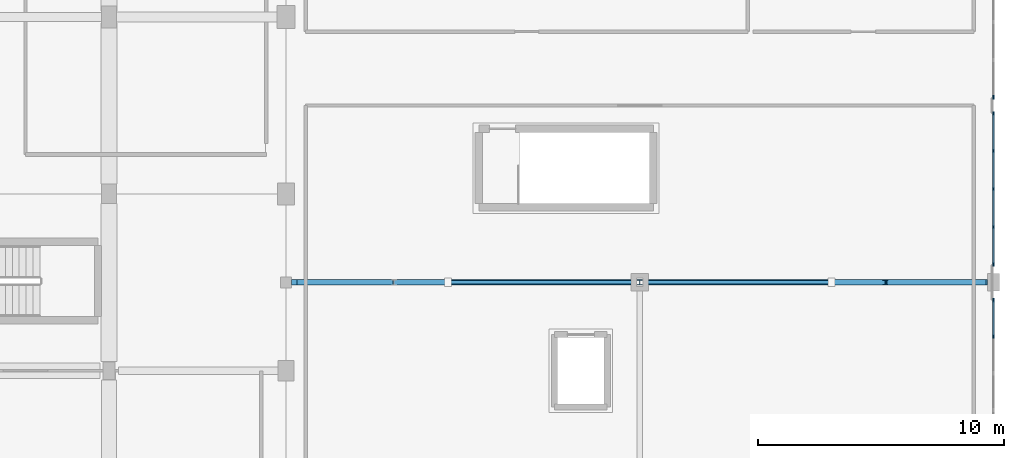
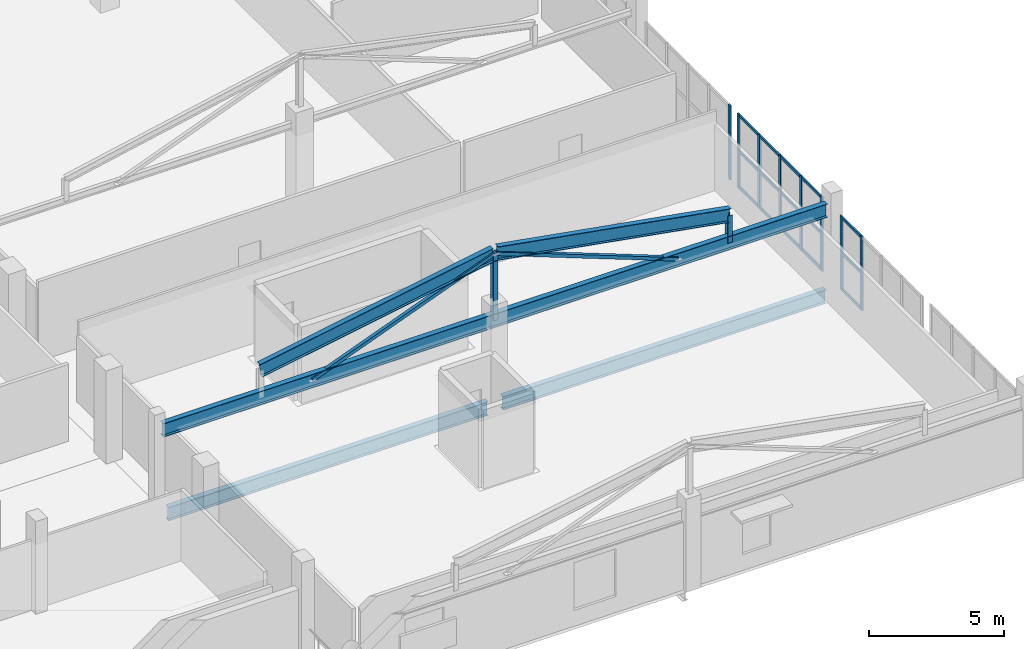
# One storey, part 34 of 92: 27 members, 5 beams, 3 elements without a shape of their own.
"""IFC4 building model written with IfcOpenShell, lengths in metres."""

from ifc_helpers import new_model, si_unit, direction, frame, origin, origin_2d, place, context, subcontext, project, spatial, rectangle, hollow_rectangle, i_section, extrude, material, material_profile, profile_set, type_object, element, aggregate, save


model = new_model("IFC4")

# Units and contexts
model_context = context("Model", 3, precision=1e-05, world=origin(), true_north=direction((0.0, 1.0)))
body_context = subcontext(model_context, "Body", "Model", "MODEL_VIEW")
ifc_project = project(units=[si_unit("LENGTHUNIT", "METRE"), si_unit("AREAUNIT", "SQUARE_METRE"), si_unit("VOLUMEUNIT", "CUBIC_METRE"), si_unit("PLANEANGLEUNIT", "RADIAN"), si_unit("MASSUNIT", "GRAM", prefix="KILO")], contexts=[model_context])

# Site, building, storey
site_placement = place(None, origin())
site = spatial("IfcSite", under=ifc_project, at=site_placement, CompositionType="ELEMENT")
building_placement = place(site_placement, origin())
building = spatial("IfcBuilding", under=site, at=building_placement, Name="Solanera Park Tramway Depot", CompositionType="ELEMENT")
storey_placement = place(building_placement, frame((0.0, 0.0, 4.800048828125)))
storey = spatial("IfcBuildingStorey", under=building, at=storey_placement, Name="L01", CompositionType="ELEMENT", Elevation=4.800048828125)

# Curtain wall, members
ifc_material_1 = material(Name="Bronze-anodised thermally broken aluminium curtain wall", Category="aluminium")
curtain_wall_type = type_object("IfcCurtainWallType", Name="Parkfront Loggia Curtain Wall", PredefinedType="NOTDEFINED", material=ifc_material_1)
curtain_wall_1_placement = place(storey_placement, origin())
curtain_wall_1 = element("IfcCurtainWall", 1, at=curtain_wall_1_placement, inside=storey, type_object=curtain_wall_type, Name="L01 Parkfront Loggia Curtain Wall #134", PredefinedType="NOTDEFINED")
ifc_material_2 = material(Name="Bronze-anodised structural aluminium 6063-T6", Category="aluminium")
ifc_material_profile_1 = material_profile(ifc_material_2, rectangle(XDim=0.06494140625, YDim=0.14990234375, at=origin_2d()), Name="Curtain Wall Mullion 65x150")
ifc_profile_set_1 = profile_set([ifc_material_profile_1], Name="Bronze-anodised structural aluminium 6063-T6")
member_type_1 = type_object("IfcMemberType", Name="Curtain Wall Mullion 65x150", PredefinedType="MULLION", material=ifc_profile_set_1)
member_1_placement = place(storey_placement, frame((216.0, 19.39990234375, 0.0), z_axis=(0.0, 0.0, 1.0), x_axis=(1.0, 0.0, 0.0)))
member_1 = element("IfcMember", 2, at=member_1_placement, type_object=member_type_1, Name="CW-L01-134 Mullion 4", PredefinedType="MULLION", context=body_context, shape_type="SweptSolid", body=[
    extrude(rectangle(XDim=0.06494140625, YDim=0.14990234375, at=origin_2d()), origin(), (0.0, 0.0, 1.0), 3.349853515625),
])
member_2_placement = place(storey_placement, frame((216.0, 20.867431640625, 0.0), z_axis=(0.0, 0.0, 1.0), x_axis=(1.0, 0.0, 0.0)))
member_2 = element("IfcMember", 3, at=member_2_placement, type_object=member_type_1, Name="CW-L01-134 Mullion 5", PredefinedType="MULLION", context=body_context, shape_type="SweptSolid", body=[
    extrude(rectangle(XDim=0.06494140625, YDim=0.14990234375, at=origin_2d()), origin(), (0.0, 0.0, 1.0), 3.349853515625),
])

curtain_wall_2_placement = place(storey_placement, origin())
curtain_wall_2 = element("IfcCurtainWall", 4, at=curtain_wall_2_placement, inside=storey, type_object=curtain_wall_type, Name="L01 Parkfront Loggia Curtain Wall #135", PredefinedType="NOTDEFINED")
member_3_placement = place(storey_placement, frame((216.0, 22.33251953125, 0.0), z_axis=(0.0, 0.0, 1.0), x_axis=(1.0, 0.0, 0.0)))
member_3 = element("IfcMember", 5, at=member_3_placement, type_object=member_type_1, Name="CW-L01-135 Mullion 1", PredefinedType="MULLION", context=body_context, shape_type="SweptSolid", body=[
    extrude(rectangle(XDim=0.06494140625, YDim=0.14990234375, at=origin_2d()), origin(), (0.0, 0.0, 1.0), 3.349853515625),
])
member_4_placement = place(storey_placement, frame((216.0, 23.85009765625, 0.0), z_axis=(0.0, 0.0, 1.0), x_axis=(1.0, 0.0, 0.0)))
member_4 = element("IfcMember", 6, at=member_4_placement, type_object=member_type_1, Name="CW-L01-135 Mullion 2", PredefinedType="MULLION", context=body_context, shape_type="SweptSolid", body=[
    extrude(rectangle(XDim=0.06494140625, YDim=0.14990234375, at=origin_2d()), origin(), (0.0, 0.0, 1.0), 3.349853515625),
])
member_5_placement = place(storey_placement, frame((216.0, 25.39990234375, 0.0), z_axis=(0.0, 0.0, 1.0), x_axis=(1.0, 0.0, 0.0)))
member_5 = element("IfcMember", 7, at=member_5_placement, type_object=member_type_1, Name="CW-L01-135 Mullion 3", PredefinedType="MULLION", context=body_context, shape_type="SweptSolid", body=[
    extrude(rectangle(XDim=0.06494140625, YDim=0.14990234375, at=origin_2d()), origin(), (0.0, 0.0, 1.0), 3.349853515625),
])
member_6_placement = place(storey_placement, frame((216.0, 26.949951171875, 0.0), z_axis=(0.0, 0.0, 1.0), x_axis=(1.0, 0.0, 0.0)))
member_6 = element("IfcMember", 8, at=member_6_placement, type_object=member_type_1, Name="CW-L01-135 Mullion 4", PredefinedType="MULLION", context=body_context, shape_type="SweptSolid", body=[
    extrude(rectangle(XDim=0.06494140625, YDim=0.14990234375, at=origin_2d()), origin(), (0.0, 0.0, 1.0), 3.349853515625),
])
member_7_placement = place(storey_placement, frame((216.0, 28.467529296875, 0.0), z_axis=(0.0, 0.0, 1.0), x_axis=(1.0, 0.0, 0.0)))
member_7 = element("IfcMember", 9, at=member_7_placement, type_object=member_type_1, Name="CW-L01-135 Mullion 5", PredefinedType="MULLION", context=body_context, shape_type="SweptSolid", body=[
    extrude(rectangle(XDim=0.06494140625, YDim=0.14990234375, at=origin_2d()), origin(), (0.0, 0.0, 1.0), 3.349853515625),
])

# Curtain wall, member
curtain_wall_3_placement = place(storey_placement, origin())
curtain_wall_3 = element("IfcCurtainWall", 10, at=curtain_wall_3_placement, inside=storey, type_object=curtain_wall_type, Name="L01 Parkfront Loggia Curtain Wall #136", PredefinedType="NOTDEFINED")
member_8_placement = place(storey_placement, frame((216.0, 29.132568359375, 0.0), z_axis=(0.0, 0.0, 1.0), x_axis=(1.0, 0.0, 0.0)))
member_8 = element("IfcMember", 11, at=member_8_placement, type_object=member_type_1, Name="CW-L01-136 Mullion 1", PredefinedType="MULLION", context=body_context, shape_type="SweptSolid", body=[
    extrude(rectangle(XDim=0.06494140625, YDim=0.14990234375, at=origin_2d()), origin(), (0.0, 0.0, 1.0), 3.349853515625),
])
aggregate(curtain_wall_3, [member_8])

# Member
ifc_material_3 = material(Name="Bronze-anodised structural aluminium 6063-T6", Category="aluminium")
ifc_material_profile_2 = material_profile(ifc_material_3, rectangle(XDim=0.06494140625, YDim=0.1201171875, at=origin_2d()), Name="Curtain Wall Transom 65x120")
ifc_profile_set_2 = profile_set([ifc_material_profile_2], Name="Bronze-anodised structural aluminium 6063-T6")
member_type_2 = type_object("IfcMemberType", Name="Curtain Wall Transom 65x120", PredefinedType="USERDEFINED", material=ifc_profile_set_2)
member_9_placement = place(storey_placement, frame((216.0, 19.427978515625, 0.06005859375), z_axis=(0.0, 1.0, 0.0), x_axis=(-1.0, 0.0, 0.0)))
member_9 = element("IfcMember", 12, at=member_9_placement, type_object=member_type_2, Name="CW-L01-134 Transom R1.C4", ObjectType="TRANSOM", PredefinedType="USERDEFINED", context=body_context, shape_type="SweptSolid", body=[
    extrude(rectangle(XDim=0.06494140625, YDim=0.1201171875, at=origin_2d()), origin(), (0.0, 0.0, 1.0), 1.41162109375),
])

member_10_placement = place(storey_placement, frame((216.0, 19.427978515625, 1.675048828125), z_axis=(0.0, 1.0, 0.0), x_axis=(-1.0, 0.0, 0.0)))
member_10 = element("IfcMember", 13, at=member_10_placement, type_object=member_type_2, Name="CW-L01-134 Transom R2.C4", ObjectType="TRANSOM", PredefinedType="USERDEFINED", context=body_context, shape_type="SweptSolid", body=[
    extrude(rectangle(XDim=0.06494140625, YDim=0.1201171875, at=origin_2d()), origin(), (0.0, 0.0, 1.0), 1.41162109375),
])

member_11_placement = place(storey_placement, frame((216.0, 19.427978515625, 3.2900390625), z_axis=(0.0, 1.0, 0.0), x_axis=(-1.0, 0.0, 0.0)))
member_11 = element("IfcMember", 14, at=member_11_placement, type_object=member_type_2, Name="CW-L01-134 Transom R3.C4", ObjectType="TRANSOM", PredefinedType="USERDEFINED", context=body_context, shape_type="SweptSolid", body=[
    extrude(rectangle(XDim=0.06494140625, YDim=0.1201171875, at=origin_2d()), origin(), (0.0, 0.0, 1.0), 1.41162109375),
])

aggregate(curtain_wall_1, [member_1, member_2, member_9, member_10, member_11])

member_12_placement = place(storey_placement, frame((216.0, 22.360595703125, 0.06005859375), z_axis=(0.0, 1.0, 0.0), x_axis=(-1.0, 0.0, 0.0)))
member_12 = element("IfcMember", 15, at=member_12_placement, type_object=member_type_2, Name="CW-L01-135 Transom R1.C1", ObjectType="TRANSOM", PredefinedType="USERDEFINED", context=body_context, shape_type="SweptSolid", body=[
    extrude(rectangle(XDim=0.06494140625, YDim=0.1201171875, at=origin_2d()), origin(), (0.0, 0.0, 1.0), 1.46142578125),
])

member_13_placement = place(storey_placement, frame((216.0, 23.8779296875, 0.06005859375), z_axis=(0.0, 1.0, 0.0), x_axis=(-1.0, 0.0, 0.0)))
member_13 = element("IfcMember", 16, at=member_13_placement, type_object=member_type_2, Name="CW-L01-135 Transom R1.C2", ObjectType="TRANSOM", PredefinedType="USERDEFINED", context=body_context, shape_type="SweptSolid", body=[
    extrude(rectangle(XDim=0.06494140625, YDim=0.1201171875, at=origin_2d()), origin(), (0.0, 0.0, 1.0), 1.494140625),
])

member_14_placement = place(storey_placement, frame((216.0, 25.427978515625, 0.06005859375), z_axis=(0.0, 1.0, 0.0), x_axis=(-1.0, 0.0, 0.0)))
member_14 = element("IfcMember", 17, at=member_14_placement, type_object=member_type_2, Name="CW-L01-135 Transom R1.C3", ObjectType="TRANSOM", PredefinedType="USERDEFINED", context=body_context, shape_type="SweptSolid", body=[
    extrude(rectangle(XDim=0.06494140625, YDim=0.1201171875, at=origin_2d()), origin(), (0.0, 0.0, 1.0), 1.494140625),
])

member_15_placement = place(storey_placement, frame((216.0, 26.97802734375, 0.06005859375), z_axis=(0.0, 1.0, 0.0), x_axis=(-1.0, 0.0, 0.0)))
member_15 = element("IfcMember", 18, at=member_15_placement, type_object=member_type_2, Name="CW-L01-135 Transom R1.C4", ObjectType="TRANSOM", PredefinedType="USERDEFINED", context=body_context, shape_type="SweptSolid", body=[
    extrude(rectangle(XDim=0.06494140625, YDim=0.1201171875, at=origin_2d()), origin(), (0.0, 0.0, 1.0), 1.46142578125),
])

member_16_placement = place(storey_placement, frame((216.0, 22.360595703125, 1.675048828125), z_axis=(0.0, 1.0, 0.0), x_axis=(-1.0, 0.0, 0.0)))
member_16 = element("IfcMember", 19, at=member_16_placement, type_object=member_type_2, Name="CW-L01-135 Transom R2.C1", ObjectType="TRANSOM", PredefinedType="USERDEFINED", context=body_context, shape_type="SweptSolid", body=[
    extrude(rectangle(XDim=0.06494140625, YDim=0.1201171875, at=origin_2d()), origin(), (0.0, 0.0, 1.0), 1.46142578125),
])

member_17_placement = place(storey_placement, frame((216.0, 23.8779296875, 1.675048828125), z_axis=(0.0, 1.0, 0.0), x_axis=(-1.0, 0.0, 0.0)))
member_17 = element("IfcMember", 20, at=member_17_placement, type_object=member_type_2, Name="CW-L01-135 Transom R2.C2", ObjectType="TRANSOM", PredefinedType="USERDEFINED", context=body_context, shape_type="SweptSolid", body=[
    extrude(rectangle(XDim=0.06494140625, YDim=0.1201171875, at=origin_2d()), origin(), (0.0, 0.0, 1.0), 1.494140625),
])

member_18_placement = place(storey_placement, frame((216.0, 25.427978515625, 1.675048828125), z_axis=(0.0, 1.0, 0.0), x_axis=(-1.0, 0.0, 0.0)))
member_18 = element("IfcMember", 21, at=member_18_placement, type_object=member_type_2, Name="CW-L01-135 Transom R2.C3", ObjectType="TRANSOM", PredefinedType="USERDEFINED", context=body_context, shape_type="SweptSolid", body=[
    extrude(rectangle(XDim=0.06494140625, YDim=0.1201171875, at=origin_2d()), origin(), (0.0, 0.0, 1.0), 1.494140625),
])

member_19_placement = place(storey_placement, frame((216.0, 26.97802734375, 1.675048828125), z_axis=(0.0, 1.0, 0.0), x_axis=(-1.0, 0.0, 0.0)))
member_19 = element("IfcMember", 22, at=member_19_placement, type_object=member_type_2, Name="CW-L01-135 Transom R2.C4", ObjectType="TRANSOM", PredefinedType="USERDEFINED", context=body_context, shape_type="SweptSolid", body=[
    extrude(rectangle(XDim=0.06494140625, YDim=0.1201171875, at=origin_2d()), origin(), (0.0, 0.0, 1.0), 1.46142578125),
])

member_20_placement = place(storey_placement, frame((216.0, 22.360595703125, 3.2900390625), z_axis=(0.0, 1.0, 0.0), x_axis=(-1.0, 0.0, 0.0)))
member_20 = element("IfcMember", 23, at=member_20_placement, type_object=member_type_2, Name="CW-L01-135 Transom R3.C1", ObjectType="TRANSOM", PredefinedType="USERDEFINED", context=body_context, shape_type="SweptSolid", body=[
    extrude(rectangle(XDim=0.06494140625, YDim=0.1201171875, at=origin_2d()), origin(), (0.0, 0.0, 1.0), 1.46142578125),
])

member_21_placement = place(storey_placement, frame((216.0, 23.8779296875, 3.2900390625), z_axis=(0.0, 1.0, 0.0), x_axis=(-1.0, 0.0, 0.0)))
member_21 = element("IfcMember", 24, at=member_21_placement, type_object=member_type_2, Name="CW-L01-135 Transom R3.C2", ObjectType="TRANSOM", PredefinedType="USERDEFINED", context=body_context, shape_type="SweptSolid", body=[
    extrude(rectangle(XDim=0.06494140625, YDim=0.1201171875, at=origin_2d()), origin(), (0.0, 0.0, 1.0), 1.494140625),
])

member_22_placement = place(storey_placement, frame((216.0, 25.427978515625, 3.2900390625), z_axis=(0.0, 1.0, 0.0), x_axis=(-1.0, 0.0, 0.0)))
member_22 = element("IfcMember", 25, at=member_22_placement, type_object=member_type_2, Name="CW-L01-135 Transom R3.C3", ObjectType="TRANSOM", PredefinedType="USERDEFINED", context=body_context, shape_type="SweptSolid", body=[
    extrude(rectangle(XDim=0.06494140625, YDim=0.1201171875, at=origin_2d()), origin(), (0.0, 0.0, 1.0), 1.494140625),
])

member_23_placement = place(storey_placement, frame((216.0, 26.97802734375, 3.2900390625), z_axis=(0.0, 1.0, 0.0), x_axis=(-1.0, 0.0, 0.0)))
member_23 = element("IfcMember", 26, at=member_23_placement, type_object=member_type_2, Name="CW-L01-135 Transom R3.C4", ObjectType="TRANSOM", PredefinedType="USERDEFINED", context=body_context, shape_type="SweptSolid", body=[
    extrude(rectangle(XDim=0.06494140625, YDim=0.1201171875, at=origin_2d()), origin(), (0.0, 0.0, 1.0), 1.46142578125),
])

aggregate(curtain_wall_2, [member_3, member_4, member_5, member_6, member_7, member_12, member_13, member_14, member_15, member_16, member_17, member_18, member_19, member_20, member_21, member_22, member_23])

# Members
ifc_material_4 = material(Name="Steel AS/NZS 3679.1 Grade 350", Category="steel")
ifc_material_profile_3 = material_profile(ifc_material_4, i_section(OverallWidth=0.205078125, OverallDepth=0.209716796875, WebThickness=0.00927734375, FlangeThickness=0.01416015625, at=origin_2d()), Name="200UC59.5")
ifc_profile_set_3 = profile_set([ifc_material_profile_3], Name="Steel AS/NZS 3679.1 Grade 350")
member_type_3 = type_object("IfcMemberType", Name="Roof Gantry Compression Strut 200UC59.5", PredefinedType="STRUT", material=ifc_profile_set_3)
member_24_placement = place(storey_placement, frame((211.60009765625, 21.60009765625, 3.299072265625), z_axis=(0.0, 0.0, 1.0), x_axis=(1.0, 0.0, 0.0)))
element("IfcMember", 27, at=member_24_placement, inside=storey, type_object=member_type_3, Name="Hip ROOF TRUSS Heel Post #0177", PredefinedType="STRUT", context=body_context, shape_type="SweptSolid", body=[
    extrude(i_section(OverallWidth=0.205078125, OverallDepth=0.209716796875, WebThickness=0.00927734375, FlangeThickness=0.01416015625, at=origin_2d()), origin(), (0.0, 0.0, 1.0), 1.2265625),
])
member_25_placement = place(storey_placement, frame((201.60009765625, 21.60009765625, 3.299072265625), z_axis=(0.0, 0.0, 1.0), x_axis=(1.0, 0.0, 0.0)))
element("IfcMember", 28, at=member_25_placement, inside=storey, type_object=member_type_3, Name="Hip ROOF TRUSS King Post #0178", PredefinedType="STRUT", context=body_context, shape_type="SweptSolid", body=[
    extrude(i_section(OverallWidth=0.205078125, OverallDepth=0.209716796875, WebThickness=0.00927734375, FlangeThickness=0.01416015625, at=origin_2d()), origin(), (0.0, 0.0, 1.0), 2.982421875),
])

# Beams
ifc_material_5 = material(Name="Steel AS/NZS 3679.1 Grade 350", Category="steel")
ifc_material_profile_4 = material_profile(ifc_material_5, i_section(OverallWidth=0.22900390625, OverallDepth=0.611572265625, WebThickness=0.011962890625, FlangeThickness=0.01953125, at=origin_2d()), Name="610UB125")
ifc_profile_set_4 = profile_set([ifc_material_profile_4], Name="Steel AS/NZS 3679.1 Grade 350")
beam_type = type_object("IfcBeamType", Name="Steel Beam 610UB125", PredefinedType="BEAM", material=ifc_profile_set_4)
beam_1_placement = place(storey_placement, frame((187.64990234375, 21.60009765625, -0.559814453125), z_axis=(1.0, 0.0, 0.0), x_axis=(0.0, 1.0, 0.0)))
element("IfcBeam", 29, at=beam_1_placement, inside=storey, type_object=beam_type, Name="L01 Primary X-Girder 610UB125 #0012", PredefinedType="BEAM", context=body_context, shape_type="SweptSolid", body=[
    extrude(i_section(OverallWidth=0.22900390625, OverallDepth=0.611572265625, WebThickness=0.011962890625, FlangeThickness=0.01953125, at=origin_2d()), origin(), (0.0, 0.0, 1.0), 13.625),
])
beam_2_placement = place(storey_placement, frame((201.925048828125, 21.60009765625, -0.559814453125), z_axis=(1.0, 0.0, 0.0), x_axis=(0.0, 1.0, 0.0)))
element("IfcBeam", 30, at=beam_2_placement, inside=storey, type_object=beam_type, Name="L01 Primary X-Girder 610UB125 #0013", PredefinedType="BEAM", context=body_context, shape_type="SweptSolid", body=[
    extrude(i_section(OverallWidth=0.22900390625, OverallDepth=0.611572265625, WebThickness=0.011962890625, FlangeThickness=0.01953125, at=origin_2d()), origin(), (0.0, 0.0, 1.0), 13.77490234375),
])
beam_3_placement = place(storey_placement, frame((187.425048828125, 21.60009765625, 3.299072265625), z_axis=(1.0, 0.0, 0.0), x_axis=(0.0, 1.0, 0.0)))
element("IfcBeam", 31, at=beam_3_placement, inside=storey, type_object=beam_type, Name="L01 Hip ROOF TRUSS Tie 610UB125 #1125", PredefinedType="BEAM", context=body_context, shape_type="SweptSolid", body=[
    extrude(i_section(OverallWidth=0.22900390625, OverallDepth=0.611572265625, WebThickness=0.011962890625, FlangeThickness=0.01953125, at=origin_2d()), origin(), (0.0, 0.0, 1.0), 28.324951171875),
])
beam_4_placement = place(storey_placement, frame((191.60009765625, 21.60009765625, 4.525634765625), z_axis=(0.984753838119, 0.0, 0.173953667135), x_axis=(0.0, 1.0, 0.0)))
element("IfcBeam", 32, at=beam_4_placement, inside=storey, type_object=beam_type, Name="L01 Hip ROOF TRUSS Rafter 610UB125 #1126", PredefinedType="BEAM", context=body_context, shape_type="SweptSolid", body=[
    extrude(i_section(OverallWidth=0.22900390625, OverallDepth=0.611572265625, WebThickness=0.011962890625, FlangeThickness=0.01953125, at=origin_2d()), origin(), (0.0, 0.0, 1.0), 10.09375),
])
beam_5_placement = place(storey_placement, frame((201.659912109375, 21.60009765625, 6.281494140625), z_axis=(0.984754569992, 0.0, -0.173949523944), x_axis=(0.0, 1.0, 0.0)))
element("IfcBeam", 33, at=beam_5_placement, inside=storey, type_object=beam_type, Name="L01 Hip ROOF TRUSS Rafter 610UB125 #1127", PredefinedType="BEAM", context=body_context, shape_type="SweptSolid", body=[
    extrude(i_section(OverallWidth=0.22900390625, OverallDepth=0.611572265625, WebThickness=0.011962890625, FlangeThickness=0.01953125, at=origin_2d()), origin(), (0.0, 0.0, 1.0), 10.093994140625),
])

# Members
ifc_material_6 = material(Name="Steel AS/NZS 1163 Grade C350L0", Category="steel")
ifc_material_profile_5 = material_profile(ifc_material_6, hollow_rectangle(XDim=0.14990234375, YDim=0.14990234375, WallThickness=0.006103515625, at=origin_2d()), Name="150x150x6.0 SHS")
ifc_profile_set_5 = profile_set([ifc_material_profile_5], Name="Steel AS/NZS 1163 Grade C350L0")
member_type_4 = type_object("IfcMemberType", Name="Truss and Frame Brace 150x150x6.0 SHS", PredefinedType="BRACE", material=ifc_profile_set_5)
member_26_placement = place(storey_placement, frame((193.800048828125, 21.60009765625, 3.299072265625), z_axis=(0.934049826954, 0.0, 0.357142717646), x_axis=(0.0, 1.0, 0.0)))
element("IfcMember", 34, at=member_26_placement, inside=storey, type_object=member_type_4, Name="Hip ROOF TRUSS Web #0491", PredefinedType="BRACE", context=body_context, shape_type="SweptSolid", body=[
    extrude(hollow_rectangle(XDim=0.14990234375, YDim=0.14990234375, WallThickness=0.006103515625, at=origin_2d()), origin(), (0.0, 0.0, 1.0), 8.350830078125),
])
member_27_placement = place(storey_placement, frame((209.39990234375, 21.60009765625, 3.299072265625), z_axis=(-0.934046097767, 0.0, 0.357152470587), x_axis=(0.0, -1.0, 0.0)))
element("IfcMember", 35, at=member_27_placement, inside=storey, type_object=member_type_4, Name="Hip ROOF TRUSS Web #0492", PredefinedType="BRACE", context=body_context, shape_type="SweptSolid", body=[
    extrude(hollow_rectangle(XDim=0.14990234375, YDim=0.14990234375, WallThickness=0.006103515625, at=origin_2d()), origin(), (0.0, 0.0, 1.0), 8.3505859375),
])

save(model, "model.ifc")
